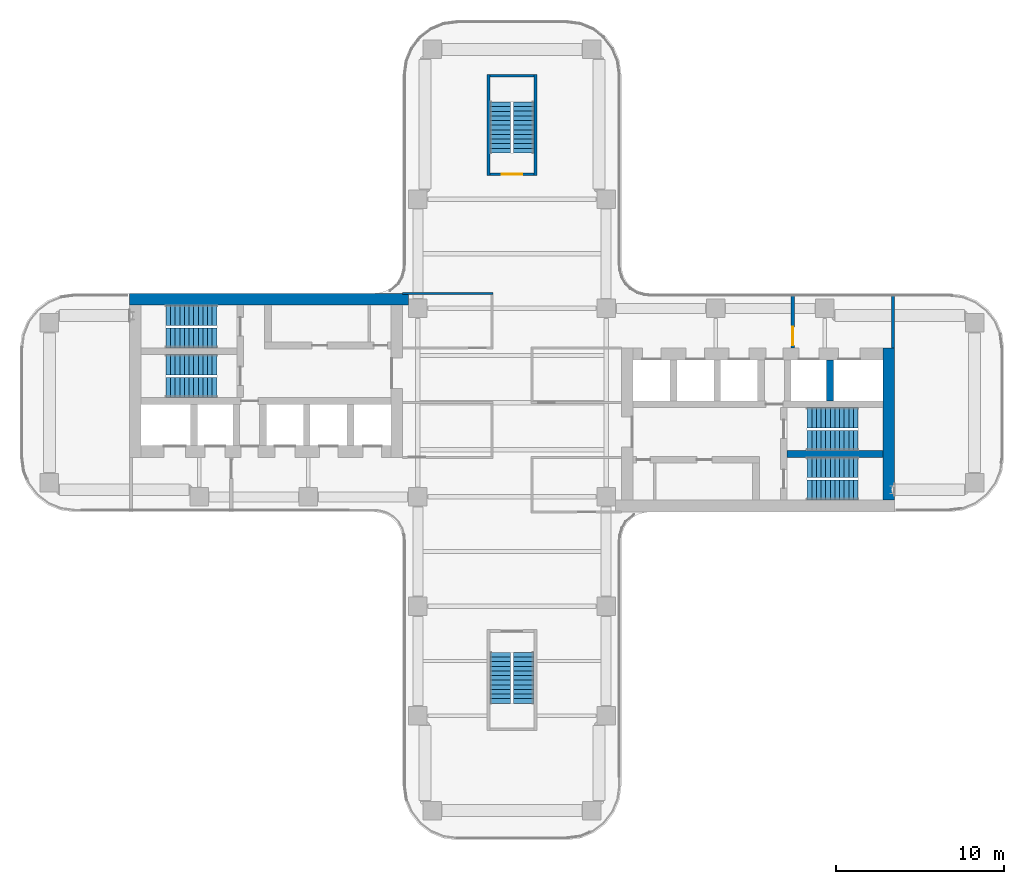
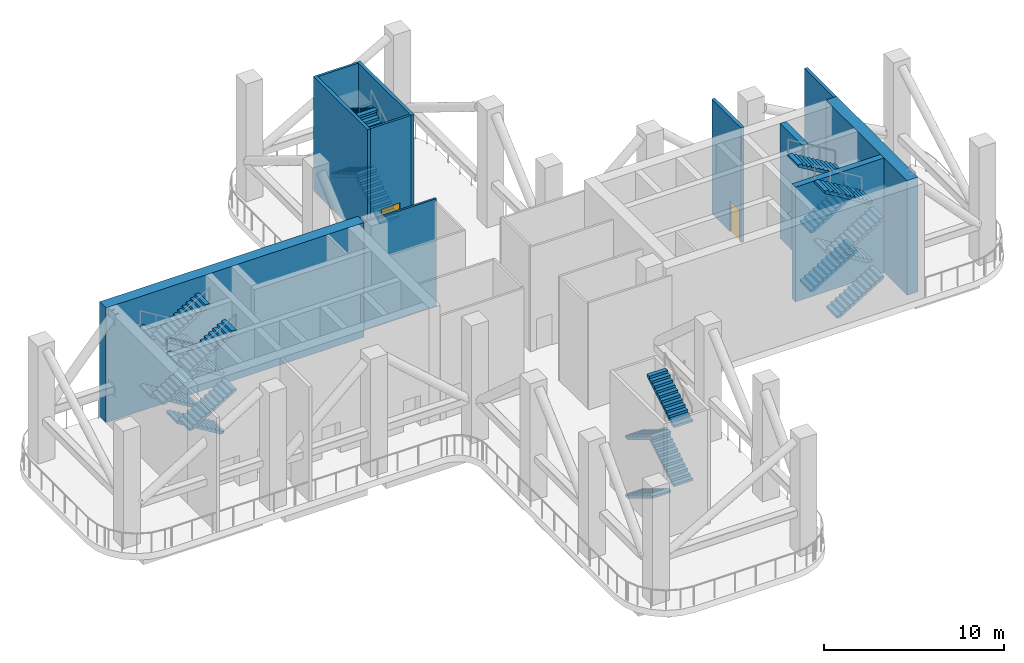
# One storey, part 6 of 11: 24 stair flights, 11 walls, 2 doors, 2 openings, 6 elements without a shape of their own.
"""IFC4 building model written with IfcOpenShell, lengths in metres."""

from ifc_helpers import new_model, si_unit, direction, frame, frame_2d, origin, place, context, subcontext, project, spatial, polyline, rectangle, outline, extrude, source, transform, mapped, material, layer, layer_set, type_object, element, fill, aggregate, save


model = new_model("IFC4")

# Units and contexts
model_context = context("Model", 3, precision=1e-05, world=origin(), true_north=direction((0.0, 1.0)))
body_context = subcontext(model_context, "Body", "Model", "MODEL_VIEW")
ifc_project = project(units=[si_unit("LENGTHUNIT", "METRE"), si_unit("AREAUNIT", "SQUARE_METRE"), si_unit("VOLUMEUNIT", "CUBIC_METRE"), si_unit("PLANEANGLEUNIT", "RADIAN"), si_unit("MASSUNIT", "GRAM", prefix="KILO")], contexts=[model_context])

# Site, building, storey
site_placement = place(None, origin())
site = spatial("IfcSite", under=ifc_project, at=site_placement, CompositionType="ELEMENT")
building_placement = place(site_placement, origin())
building = spatial("IfcBuilding", under=site, at=building_placement, Name="Trellis Farm Tower", CompositionType="ELEMENT")
storey_placement = place(building_placement, frame((0.0, 0.0, 212.699951171875)))
storey = spatial("IfcBuildingStorey", under=building, at=storey_placement, Name="L47", CompositionType="ELEMENT", Elevation=212.699951171875)

# Walls
ifc_material_1 = material(Name="Concrete C60/75", Category="concrete")
ifc_layer_1 = layer(ifc_material_1, 0.699951171875)
ifc_layer_set_1 = layer_set([ifc_layer_1], Name="CORE OUTER WALL 700 CONCRETE C60/75")
wall_type_1 = type_object("IfcWallType", Name="CORE OUTER WALL 700 CONCRETE C60/75", PredefinedType="SHEAR", material=ifc_layer_set_1)
shared_shape_1 = source(origin(), body_context, "Body", "SweptSolid", [
    extrude(rectangle(XDim=9.050048828125, YDim=0.699951171875, at=frame_2d((4.52490234375, 0.0))), origin(), (0.0, 0.0, 1.0), 7.800048828125),
])
wall_1_placement = place(storey_placement, frame((22.39990234375, -5.800048828125, 0.0), z_axis=(0.0, 0.0, 1.0), x_axis=(0.0, 1.0, 0.0)))
element("IfcWall", 1, at=wall_1_placement, inside=storey, type_object=wall_type_1, Name="Core wall", PredefinedType="SHEAR", context=body_context, shape_type="MappedRepresentation", body=[
    mapped(shared_shape_1, transform((0.0, 0.0, 0.0))),
])
ifc_layer_2 = layer(ifc_material_1, 0.39990234375)
ifc_layer_set_2 = layer_set([ifc_layer_2], Name="CORE INNER WALL 400 CONCRETE C60/75")
wall_type_2 = type_object("IfcWallType", Name="CORE INNER WALL 400 CONCRETE C60/75", PredefinedType="SHEAR", material=ifc_layer_set_2)
shared_shape_2 = source(origin(), body_context, "Body", "SweptSolid", [
    extrude(rectangle(XDim=2.449951171875, YDim=0.39990234375, at=frame_2d((1.22509765625, 0.0))), origin(), (0.0, 0.0, 1.0), 7.800048828125),
])
wall_2_placement = place(storey_placement, frame((18.89990234375, 0.10009765625, 0.0), z_axis=(0.0, 0.0, 1.0), x_axis=(0.0, 1.0, 0.0)))
element("IfcWall", 2, at=wall_2_placement, inside=storey, type_object=wall_type_2, Name="Core wall", PredefinedType="SHEAR", context=body_context, shape_type="MappedRepresentation", body=[
    mapped(shared_shape_2, transform((0.0, 0.0, 0.0))),
])

# Wall, opening, door
ifc_material_2 = material(Name="Masonry blockwork", Category="masonry")
ifc_layer_3 = layer(ifc_material_2, 0.199951171875)
ifc_layer_set_3 = layer_set([ifc_layer_3], Name="FIRE LOBBY PARTITION 200 BLOCKWORK")
wall_type_3 = type_object("IfcWallType", Name="FIRE LOBBY PARTITION 200 BLOCKWORK", PredefinedType="PARTITIONING", material=ifc_layer_set_3)
shared_shape_3 = source(origin(), body_context, "Body", "SweptSolid", [
    extrude(rectangle(XDim=3.25, YDim=0.199951171875, at=frame_2d((1.625, 0.0))), origin(), (0.0, 0.0, 1.0), 7.800048828125),
])
wall_3_placement = place(storey_placement, frame((16.699951171875, 3.25, 0.0), z_axis=(0.0, 0.0, 1.0), x_axis=(0.0, 1.0, 0.0)))
wall_3 = element("IfcWall", 3, at=wall_3_placement, inside=storey, type_object=wall_type_3, Name="Fire-fighting lobby partition", PredefinedType="PARTITIONING", context=body_context, shape_type="MappedRepresentation", body=[
    mapped(shared_shape_3, transform((0.0, 0.0, 0.0))),
])
shared_shape_4 = source(origin(), body_context, "Body", "SweptSolid", [
    extrude(rectangle(XDim=1.10009765625, YDim=2.10009765625, at=frame_2d((0.550048828125, 1.050048828125))), frame((0.0, 0.110107421875, 0.0), z_axis=(0.0, -1.0, 0.0), x_axis=(1.0, 0.0, 0.0)), (0.0, 0.0, 1.0), 0.22021484375),
])
opening_1_placement = place(wall_3_placement, frame((0.14990234375, 0.0, 0.0)))
opening_1 = element("IfcOpeningElement", 4, at=opening_1_placement, cuts=wall_3, Name="Opening DC7", PredefinedType="OPENING", context=body_context, shape_type="MappedRepresentation", body=[
    mapped(shared_shape_4, transform((0.0, 0.0, 0.0))),
])
ifc_material_3 = material(Name="Steel", Category="steel")
door_type_1 = type_object("IfcDoorType", Name="CORE FIRE DOOR 1100 X 2100", OperationType="NOTDEFINED", PredefinedType="DOOR", material=ifc_material_3)
shared_shape_5 = source(origin(), body_context, "Body", "SweptSolid", [
    extrude(rectangle(XDim=1.10009765625, YDim=2.10009765625, at=frame_2d((0.550048828125, 1.050048828125))), frame((0.0, 0.02490234375, 0.0), z_axis=(0.0, -1.0, 0.0), x_axis=(1.0, 0.0, 0.0)), (0.0, 0.0, 1.0), 0.050048828125),
])
door_1_placement = place(opening_1_placement, origin())
door_1 = element("IfcDoor", 5, at=door_1_placement, inside=storey, type_object=door_type_1, Name="Core door", OperationType="SINGLE_SWING_RIGHT", OverallHeight=2.10009765625, OverallWidth=1.10009765625, PredefinedType="DOOR", context=body_context, shape_type="MappedRepresentation", body=[
    mapped(shared_shape_5, transform((0.0, 0.0, 0.0))),
])
fill(opening_1, door_1)

# Walls
wall_4_placement = place(storey_placement, frame((22.64990234375, 3.25, 0.0), z_axis=(0.0, 0.0, 1.0), x_axis=(0.0, 1.0, 0.0)))
element("IfcWall", 6, at=wall_4_placement, inside=storey, type_object=wall_type_3, Name="Fire-fighting lobby partition", PredefinedType="PARTITIONING", context=body_context, shape_type="MappedRepresentation", body=[
    mapped(shared_shape_3, transform((0.0, 0.0, 0.0))),
])
shared_shape_6 = source(origin(), body_context, "Body", "SweptSolid", [
    extrude(rectangle(XDim=16.60009765625, YDim=0.699951171875, at=frame_2d((8.300048828125, 0.0))), origin(), (0.0, 0.0, 1.0), 7.800048828125),
])
wall_5_placement = place(storey_placement, frame((-6.14990234375, 6.14990234375, 0.0), z_axis=(0.0, 0.0, 1.0), x_axis=(-1.0, 0.0, 0.0)))
element("IfcWall", 7, at=wall_5_placement, inside=storey, type_object=wall_type_1, Name="Core wall", PredefinedType="SHEAR", context=body_context, shape_type="MappedRepresentation", body=[
    mapped(shared_shape_6, transform((0.0, 0.0, 0.0))),
])
shared_shape_7 = source(origin(), body_context, "Body", "SweptSolid", [
    extrude(rectangle(XDim=5.699951171875, YDim=0.39990234375, at=frame_2d((2.85009765625, 0.0))), origin(), (0.0, 0.0, 1.0), 7.800048828125),
])
wall_6_placement = place(storey_placement, frame((16.35009765625, -3.050048828125, 0.0), z_axis=(0.0, 0.0, 1.0), x_axis=(1.0, 0.0, 0.0)))
element("IfcWall", 8, at=wall_6_placement, inside=storey, type_object=wall_type_2, Name="Core wall", PredefinedType="SHEAR", context=body_context, shape_type="MappedRepresentation", body=[
    mapped(shared_shape_7, transform((0.0, 0.0, 0.0))),
])
ifc_layer_4 = layer(ifc_material_1, 0.199951171875)
ifc_layer_set_4 = layer_set([ifc_layer_4], Name="CORE STAIR ENCLOSURE WALL 200 CONCRETE C60/75")
wall_type_4 = type_object("IfcWallType", Name="CORE STAIR ENCLOSURE WALL 200 CONCRETE C60/75", PredefinedType="SHEAR", material=ifc_layer_set_4)
shared_shape_8 = source(origin(), body_context, "Body", "SweptSolid", [
    extrude(rectangle(XDim=6.0, YDim=0.199951171875, at=frame_2d((3.0, 0.0))), origin(), (0.0, 0.0, 1.0), 7.800048828125),
])
for number, where, z_axis, x_axis, name in (
    (9, (-1.39990234375, 13.5, 0.0), (0.0, 0.0, 1.0), (0.0, 1.0, 0.0), "Stair enclosure wall"),
    (10, (1.39990234375, 13.5, 0.0), (0.0, 0.0, 1.0), (0.0, 1.0, 0.0), "Stair enclosure wall"),
):
    element("IfcWall", number, at=place(storey_placement, frame(where, z_axis=z_axis, x_axis=x_axis)), inside=storey, type_object=wall_type_4, Name=name, PredefinedType="SHEAR", context=body_context, shape_type="MappedRepresentation", body=[
        mapped(shared_shape_8, transform((0.0, 0.0, 0.0))),
    ])

# Wall, opening, door
ifc_layer_5 = layer(ifc_material_1, 0.14990234375)
ifc_layer_set_5 = layer_set([ifc_layer_5], Name="CORE STAIR ENCLOSURE WALL 150 CONCRETE C60/75")
wall_type_5 = type_object("IfcWallType", Name="CORE STAIR ENCLOSURE WALL 150 CONCRETE C60/75", PredefinedType="SHEAR", material=ifc_layer_set_5)
shared_shape_9 = source(origin(), body_context, "Body", "SweptSolid", [
    extrude(rectangle(XDim=2.60009765625, YDim=0.14990234375, at=frame_2d((1.300048828125, 0.0))), origin(), (0.0, 0.0, 1.0), 7.800048828125),
])
wall_7_placement = place(storey_placement, frame((-1.300048828125, 13.574951171875, 0.0), z_axis=(0.0, 0.0, 1.0), x_axis=(1.0, 0.0, 0.0)))
wall_7 = element("IfcWall", 11, at=wall_7_placement, inside=storey, type_object=wall_type_5, Name="Stair enclosure wall", PredefinedType="SHEAR", context=body_context, shape_type="MappedRepresentation", body=[
    mapped(shared_shape_9, transform((0.0, 0.0, 0.0))),
])
shared_shape_10 = source(origin(), body_context, "Body", "SweptSolid", [
    extrude(rectangle(XDim=1.199951171875, YDim=2.10009765625, at=frame_2d((0.60009765625, 1.050048828125))), frame((0.0, 0.0849609375, 0.0), z_axis=(0.0, -1.0, 0.0), x_axis=(1.0, 0.0, 0.0)), (0.0, 0.0, 1.0), 0.169921875),
])
opening_2_placement = place(wall_7_placement, frame((0.699951171875, 0.0, 0.0)))
opening_2 = element("IfcOpeningElement", 12, at=opening_2_placement, cuts=wall_7, Name="Opening DC173", PredefinedType="OPENING", context=body_context, shape_type="MappedRepresentation", body=[
    mapped(shared_shape_10, transform((0.0, 0.0, 0.0))),
])
door_type_2 = type_object("IfcDoorType", Name="CORE FIRE DOOR 1200 X 2100", OperationType="NOTDEFINED", PredefinedType="DOOR", material=ifc_material_3)
shared_shape_11 = source(origin(), body_context, "Body", "SweptSolid", [
    extrude(rectangle(XDim=1.199951171875, YDim=2.10009765625, at=frame_2d((0.60009765625, 1.050048828125))), frame((0.0, 0.02490234375, 0.0), z_axis=(0.0, -1.0, 0.0), x_axis=(1.0, 0.0, 0.0)), (0.0, 0.0, 1.0), 0.050048828125),
])
door_2_placement = place(opening_2_placement, origin())
door_2 = element("IfcDoor", 13, at=door_2_placement, inside=storey, type_object=door_type_2, Name="Core door", OperationType="SINGLE_SWING_LEFT", OverallHeight=2.10009765625, OverallWidth=1.199951171875, PredefinedType="DOOR", context=body_context, shape_type="MappedRepresentation", body=[
    mapped(shared_shape_11, transform((0.0, 0.0, 0.0))),
])
fill(opening_2, door_2)

# Walls
wall_8_placement = place(storey_placement, frame((-1.300048828125, 19.425048828125, 0.0), z_axis=(0.0, 0.0, 1.0), x_axis=(1.0, 0.0, 0.0)))
element("IfcWall", 14, at=wall_8_placement, inside=storey, type_object=wall_type_5, Name="Stair enclosure wall", PredefinedType="SHEAR", context=body_context, shape_type="MappedRepresentation", body=[
    mapped(shared_shape_9, transform((0.0, 0.0, 0.0))),
])
ifc_material_4 = material(Name="Plasterboard on steel studs, mineral wool", Category="steel")
ifc_layer_6 = layer(ifc_material_4, 0.125)
ifc_layer_set_6 = layer_set([ifc_layer_6], Name="PARTITION 125 STUD EI 60")
wall_type_6 = type_object("IfcWallType", Name="PARTITION 125 STUD EI 60", PredefinedType="PARTITIONING", material=ifc_layer_set_6)
shared_shape_12 = source(origin(), body_context, "Body", "SweptSolid", [
    extrude(rectangle(XDim=5.362548828125, YDim=0.125, at=frame_2d((2.68115234375, 0.0))), origin(), (0.0, 0.0, 1.0), 7.280029296875),
])
wall_9_placement = place(storey_placement, frame((-6.5, 6.5, 0.0), z_axis=(0.0, 0.0, 1.0), x_axis=(1.0, 0.0, 0.0)))
element("IfcWall", 15, at=wall_9_placement, inside=storey, type_object=wall_type_6, Name="Partition PW1", PredefinedType="PARTITIONING", context=body_context, shape_type="MappedRepresentation", body=[
    mapped(shared_shape_12, transform((0.0, 0.0, 0.0))),
])

# Stair, stair flights
ifc_material_5 = material(Name="Concrete C50/60", Category="concrete")
stair_type = type_object("IfcStairType", Name="CORE EXIT STAIR 48 RISERS 167 MM", PredefinedType="HALF_TURN_STAIR", material=ifc_material_5)
placement = place(storey_placement, origin())
stair_1 = element("IfcStair", 16, at=placement, inside=storey, type_object=stair_type, Name="Exit stair N", PredefinedType="HALF_TURN_STAIR")
stair_flight_type = type_object("IfcStairFlightType", Name="STAIR FLIGHT 12 RISERS 167 MM", PredefinedType="STRAIGHT", material=ifc_material_5)
shared_shape_13 = source(origin(), body_context, "Body", "SweptSolid", [
    extrude(outline(polyline([(0.0, 0.0), (0.0, 0.166748046875), (0.27490234375, 0.166748046875), (0.27490234375, 0.333251953125), (0.550048828125, 0.333251953125), (0.550048828125, 0.5), (0.824951171875, 0.5), (0.824951171875, 0.666748046875), (1.10009765625, 0.666748046875), (1.10009765625, 0.833251953125), (1.375, 0.833251953125), (1.375, 1.0), (1.64990234375, 1.0), (1.64990234375, 1.166748046875), (1.925048828125, 1.166748046875), (1.925048828125, 1.333251953125), (2.199951171875, 1.333251953125), (2.199951171875, 1.5), (2.47509765625, 1.5), (2.47509765625, 1.666748046875), (2.75, 1.666748046875), (2.75, 1.833251953125), (3.02490234375, 1.833251953125), (3.02490234375, 2.0), (3.02490234375, 1.681396484375), (0.25048828125, 0.0), (0.0, 0.0)])), frame((0.0, 0.60009765625, 0.0), z_axis=(0.0, -1.0, 0.0), x_axis=(1.0, 0.0, 0.0)), (0.0, 0.0, 1.0), 1.199951171875),
])
stair_flight_1_placement = place(storey_placement, frame((0.699951171875, 14.85009765625, 0.0), z_axis=(0.0, 0.0, 1.0), x_axis=(0.0, 1.0, 0.0)))
stair_flight_1 = element("IfcStairFlight", 17, at=stair_flight_1_placement, type_object=stair_flight_type, Name="STN flight 1", NumberOfRisers=12, NumberOfTreads=11, PredefinedType="STRAIGHT", RiserHeight=0.166666667, TreadLength=0.275, context=body_context, shape_type="MappedRepresentation", body=[
    mapped(shared_shape_13, transform((0.0, 0.0, 0.0))),
])
stair_flight_2_placement = place(storey_placement, frame((-0.699951171875, 17.875, 2.0), z_axis=(0.0, 0.0, 1.0), x_axis=(0.0, -1.0, 0.0)))
stair_flight_2 = element("IfcStairFlight", 18, at=stair_flight_2_placement, type_object=stair_flight_type, Name="STN flight 2", NumberOfRisers=12, NumberOfTreads=11, PredefinedType="STRAIGHT", RiserHeight=0.166666667, TreadLength=0.275, context=body_context, shape_type="MappedRepresentation", body=[
    mapped(shared_shape_13, transform((0.0, 0.0, 0.0))),
])
stair_flight_3_placement = place(storey_placement, frame((0.699951171875, 14.85009765625, 4.0), z_axis=(0.0, 0.0, 1.0), x_axis=(0.0, 1.0, 0.0)))
stair_flight_3 = element("IfcStairFlight", 19, at=stair_flight_3_placement, type_object=stair_flight_type, Name="STN flight 3", NumberOfRisers=12, NumberOfTreads=11, PredefinedType="STRAIGHT", RiserHeight=0.166666667, TreadLength=0.275, context=body_context, shape_type="MappedRepresentation", body=[
    mapped(shared_shape_13, transform((0.0, 0.0, 0.0))),
])
stair_flight_4_placement = place(storey_placement, frame((-0.699951171875, 17.875, 6.0), z_axis=(0.0, 0.0, 1.0), x_axis=(0.0, -1.0, 0.0)))
stair_flight_4 = element("IfcStairFlight", 20, at=stair_flight_4_placement, type_object=stair_flight_type, Name="STN flight 4", NumberOfRisers=12, NumberOfTreads=11, PredefinedType="STRAIGHT", RiserHeight=0.166666667, TreadLength=0.275, context=body_context, shape_type="MappedRepresentation", body=[
    mapped(shared_shape_13, transform((0.0, 0.0, 0.0))),
])
aggregate(stair_1, [stair_flight_1, stair_flight_2, stair_flight_3, stair_flight_4])

stair_2 = element("IfcStair", 21, at=placement, inside=storey, type_object=stair_type, Name="Exit stair S", PredefinedType="HALF_TURN_STAIR")
stair_flight_5_placement = place(storey_placement, frame((-0.699951171875, -14.85009765625, 0.0), z_axis=(0.0, 0.0, 1.0), x_axis=(0.0, -1.0, 0.0)))
stair_flight_5 = element("IfcStairFlight", 22, at=stair_flight_5_placement, type_object=stair_flight_type, Name="STS flight 1", NumberOfRisers=12, NumberOfTreads=11, PredefinedType="STRAIGHT", RiserHeight=0.166666667, TreadLength=0.275, context=body_context, shape_type="MappedRepresentation", body=[
    mapped(shared_shape_13, transform((0.0, 0.0, 0.0))),
])
stair_flight_6_placement = place(storey_placement, frame((0.699951171875, -17.875, 2.0), z_axis=(0.0, 0.0, 1.0), x_axis=(0.0, 1.0, 0.0)))
stair_flight_6 = element("IfcStairFlight", 23, at=stair_flight_6_placement, type_object=stair_flight_type, Name="STS flight 2", NumberOfRisers=12, NumberOfTreads=11, PredefinedType="STRAIGHT", RiserHeight=0.166666667, TreadLength=0.275, context=body_context, shape_type="MappedRepresentation", body=[
    mapped(shared_shape_13, transform((0.0, 0.0, 0.0))),
])
stair_flight_7_placement = place(storey_placement, frame((-0.699951171875, -14.85009765625, 4.0), z_axis=(0.0, 0.0, 1.0), x_axis=(0.0, -1.0, 0.0)))
stair_flight_7 = element("IfcStairFlight", 24, at=stair_flight_7_placement, type_object=stair_flight_type, Name="STS flight 3", NumberOfRisers=12, NumberOfTreads=11, PredefinedType="STRAIGHT", RiserHeight=0.166666667, TreadLength=0.275, context=body_context, shape_type="MappedRepresentation", body=[
    mapped(shared_shape_13, transform((0.0, 0.0, 0.0))),
])
stair_flight_8_placement = place(storey_placement, frame((0.699951171875, -17.875, 6.0), z_axis=(0.0, 0.0, 1.0), x_axis=(0.0, 1.0, 0.0)))
stair_flight_8 = element("IfcStairFlight", 25, at=stair_flight_8_placement, type_object=stair_flight_type, Name="STS flight 4", NumberOfRisers=12, NumberOfTreads=11, PredefinedType="STRAIGHT", RiserHeight=0.166666667, TreadLength=0.275, context=body_context, shape_type="MappedRepresentation", body=[
    mapped(shared_shape_13, transform((0.0, 0.0, 0.0))),
])
aggregate(stair_2, [stair_flight_5, stair_flight_6, stair_flight_7, stair_flight_8])

stair_3 = element("IfcStair", 26, at=placement, inside=storey, type_object=stair_type, Name="Exit stair E1", PredefinedType="HALF_TURN_STAIR")
stair_flight_9_placement = place(storey_placement, frame((17.550048828125, -5.199951171875, 0.0), z_axis=(0.0, 0.0, 1.0), x_axis=(1.0, 0.0, 0.0)))
stair_flight_9 = element("IfcStairFlight", 27, at=stair_flight_9_placement, type_object=stair_flight_type, Name="STE1 flight 1", NumberOfRisers=12, NumberOfTreads=11, PredefinedType="STRAIGHT", RiserHeight=0.166666667, TreadLength=0.275, context=body_context, shape_type="MappedRepresentation", body=[
    mapped(shared_shape_13, transform((0.0, 0.0, 0.0))),
])
stair_flight_10_placement = place(storey_placement, frame((20.574951171875, -3.85009765625, 2.0), z_axis=(0.0, 0.0, 1.0), x_axis=(-1.0, 0.0, 0.0)))
stair_flight_10 = element("IfcStairFlight", 28, at=stair_flight_10_placement, type_object=stair_flight_type, Name="STE1 flight 2", NumberOfRisers=12, NumberOfTreads=11, PredefinedType="STRAIGHT", RiserHeight=0.166666667, TreadLength=0.275, context=body_context, shape_type="MappedRepresentation", body=[
    mapped(shared_shape_13, transform((0.0, 0.0, 0.0))),
])
stair_flight_11_placement = place(storey_placement, frame((17.550048828125, -5.199951171875, 4.0), z_axis=(0.0, 0.0, 1.0), x_axis=(1.0, 0.0, 0.0)))
stair_flight_11 = element("IfcStairFlight", 29, at=stair_flight_11_placement, type_object=stair_flight_type, Name="STE1 flight 3", NumberOfRisers=12, NumberOfTreads=11, PredefinedType="STRAIGHT", RiserHeight=0.166666667, TreadLength=0.275, context=body_context, shape_type="MappedRepresentation", body=[
    mapped(shared_shape_13, transform((0.0, 0.0, 0.0))),
])
stair_flight_12_placement = place(storey_placement, frame((20.574951171875, -3.85009765625, 6.0), z_axis=(0.0, 0.0, 1.0), x_axis=(-1.0, 0.0, 0.0)))
stair_flight_12 = element("IfcStairFlight", 30, at=stair_flight_12_placement, type_object=stair_flight_type, Name="STE1 flight 4", NumberOfRisers=12, NumberOfTreads=11, PredefinedType="STRAIGHT", RiserHeight=0.166666667, TreadLength=0.275, context=body_context, shape_type="MappedRepresentation", body=[
    mapped(shared_shape_13, transform((0.0, 0.0, 0.0))),
])
aggregate(stair_3, [stair_flight_9, stair_flight_10, stair_flight_11, stair_flight_12])

stair_4 = element("IfcStair", 31, at=placement, inside=storey, type_object=stair_type, Name="Exit stair E2", PredefinedType="HALF_TURN_STAIR")
stair_flight_13_placement = place(storey_placement, frame((17.550048828125, -2.25, 0.0), z_axis=(0.0, 0.0, 1.0), x_axis=(1.0, 0.0, 0.0)))
stair_flight_13 = element("IfcStairFlight", 32, at=stair_flight_13_placement, type_object=stair_flight_type, Name="STE2 flight 1", NumberOfRisers=12, NumberOfTreads=11, PredefinedType="STRAIGHT", RiserHeight=0.166666667, TreadLength=0.275, context=body_context, shape_type="MappedRepresentation", body=[
    mapped(shared_shape_13, transform((0.0, 0.0, 0.0))),
])
stair_flight_14_placement = place(storey_placement, frame((20.574951171875, -0.89990234375, 2.0), z_axis=(0.0, 0.0, 1.0), x_axis=(-1.0, 0.0, 0.0)))
stair_flight_14 = element("IfcStairFlight", 33, at=stair_flight_14_placement, type_object=stair_flight_type, Name="STE2 flight 2", NumberOfRisers=12, NumberOfTreads=11, PredefinedType="STRAIGHT", RiserHeight=0.166666667, TreadLength=0.275, context=body_context, shape_type="MappedRepresentation", body=[
    mapped(shared_shape_13, transform((0.0, 0.0, 0.0))),
])
stair_flight_15_placement = place(storey_placement, frame((17.550048828125, -2.25, 4.0), z_axis=(0.0, 0.0, 1.0), x_axis=(1.0, 0.0, 0.0)))
stair_flight_15 = element("IfcStairFlight", 34, at=stair_flight_15_placement, type_object=stair_flight_type, Name="STE2 flight 3", NumberOfRisers=12, NumberOfTreads=11, PredefinedType="STRAIGHT", RiserHeight=0.166666667, TreadLength=0.275, context=body_context, shape_type="MappedRepresentation", body=[
    mapped(shared_shape_13, transform((0.0, 0.0, 0.0))),
])
stair_flight_16_placement = place(storey_placement, frame((20.574951171875, -0.89990234375, 6.0), z_axis=(0.0, 0.0, 1.0), x_axis=(-1.0, 0.0, 0.0)))
stair_flight_16 = element("IfcStairFlight", 35, at=stair_flight_16_placement, type_object=stair_flight_type, Name="STE2 flight 4", NumberOfRisers=12, NumberOfTreads=11, PredefinedType="STRAIGHT", RiserHeight=0.166666667, TreadLength=0.275, context=body_context, shape_type="MappedRepresentation", body=[
    mapped(shared_shape_13, transform((0.0, 0.0, 0.0))),
])
aggregate(stair_4, [stair_flight_13, stair_flight_14, stair_flight_15, stair_flight_16])

stair_5 = element("IfcStair", 36, at=placement, inside=storey, type_object=stair_type, Name="Exit stair W1", PredefinedType="HALF_TURN_STAIR")
stair_flight_17_placement = place(storey_placement, frame((-17.550048828125, 5.199951171875, 0.0), z_axis=(0.0, 0.0, 1.0), x_axis=(-1.0, 0.0, 0.0)))
stair_flight_17 = element("IfcStairFlight", 37, at=stair_flight_17_placement, type_object=stair_flight_type, Name="STW1 flight 1", NumberOfRisers=12, NumberOfTreads=11, PredefinedType="STRAIGHT", RiserHeight=0.166666667, TreadLength=0.275, context=body_context, shape_type="MappedRepresentation", body=[
    mapped(shared_shape_13, transform((0.0, 0.0, 0.0))),
])
stair_flight_18_placement = place(storey_placement, frame((-20.574951171875, 3.85009765625, 2.0), z_axis=(0.0, 0.0, 1.0), x_axis=(1.0, 0.0, 0.0)))
stair_flight_18 = element("IfcStairFlight", 38, at=stair_flight_18_placement, type_object=stair_flight_type, Name="STW1 flight 2", NumberOfRisers=12, NumberOfTreads=11, PredefinedType="STRAIGHT", RiserHeight=0.166666667, TreadLength=0.275, context=body_context, shape_type="MappedRepresentation", body=[
    mapped(shared_shape_13, transform((0.0, 0.0, 0.0))),
])
stair_flight_19_placement = place(storey_placement, frame((-17.550048828125, 5.199951171875, 4.0), z_axis=(0.0, 0.0, 1.0), x_axis=(-1.0, 0.0, 0.0)))
stair_flight_19 = element("IfcStairFlight", 39, at=stair_flight_19_placement, type_object=stair_flight_type, Name="STW1 flight 3", NumberOfRisers=12, NumberOfTreads=11, PredefinedType="STRAIGHT", RiserHeight=0.166666667, TreadLength=0.275, context=body_context, shape_type="MappedRepresentation", body=[
    mapped(shared_shape_13, transform((0.0, 0.0, 0.0))),
])
stair_flight_20_placement = place(storey_placement, frame((-20.574951171875, 3.85009765625, 6.0), z_axis=(0.0, 0.0, 1.0), x_axis=(1.0, 0.0, 0.0)))
stair_flight_20 = element("IfcStairFlight", 40, at=stair_flight_20_placement, type_object=stair_flight_type, Name="STW1 flight 4", NumberOfRisers=12, NumberOfTreads=11, PredefinedType="STRAIGHT", RiserHeight=0.166666667, TreadLength=0.275, context=body_context, shape_type="MappedRepresentation", body=[
    mapped(shared_shape_13, transform((0.0, 0.0, 0.0))),
])
aggregate(stair_5, [stair_flight_17, stair_flight_18, stair_flight_19, stair_flight_20])

stair_6 = element("IfcStair", 41, at=placement, inside=storey, type_object=stair_type, Name="Exit stair W2", PredefinedType="HALF_TURN_STAIR")
stair_flight_21_placement = place(storey_placement, frame((-17.550048828125, 2.25, 0.0), z_axis=(0.0, 0.0, 1.0), x_axis=(-1.0, 0.0, 0.0)))
stair_flight_21 = element("IfcStairFlight", 42, at=stair_flight_21_placement, type_object=stair_flight_type, Name="STW2 flight 1", NumberOfRisers=12, NumberOfTreads=11, PredefinedType="STRAIGHT", RiserHeight=0.166666667, TreadLength=0.275, context=body_context, shape_type="MappedRepresentation", body=[
    mapped(shared_shape_13, transform((0.0, 0.0, 0.0))),
])
stair_flight_22_placement = place(storey_placement, frame((-20.574951171875, 0.89990234375, 2.0), z_axis=(0.0, 0.0, 1.0), x_axis=(1.0, 0.0, 0.0)))
stair_flight_22 = element("IfcStairFlight", 43, at=stair_flight_22_placement, type_object=stair_flight_type, Name="STW2 flight 2", NumberOfRisers=12, NumberOfTreads=11, PredefinedType="STRAIGHT", RiserHeight=0.166666667, TreadLength=0.275, context=body_context, shape_type="MappedRepresentation", body=[
    mapped(shared_shape_13, transform((0.0, 0.0, 0.0))),
])
stair_flight_23_placement = place(storey_placement, frame((-17.550048828125, 2.25, 4.0), z_axis=(0.0, 0.0, 1.0), x_axis=(-1.0, 0.0, 0.0)))
stair_flight_23 = element("IfcStairFlight", 44, at=stair_flight_23_placement, type_object=stair_flight_type, Name="STW2 flight 3", NumberOfRisers=12, NumberOfTreads=11, PredefinedType="STRAIGHT", RiserHeight=0.166666667, TreadLength=0.275, context=body_context, shape_type="MappedRepresentation", body=[
    mapped(shared_shape_13, transform((0.0, 0.0, 0.0))),
])
stair_flight_24_placement = place(storey_placement, frame((-20.574951171875, 0.89990234375, 6.0), z_axis=(0.0, 0.0, 1.0), x_axis=(1.0, 0.0, 0.0)))
stair_flight_24 = element("IfcStairFlight", 45, at=stair_flight_24_placement, type_object=stair_flight_type, Name="STW2 flight 4", NumberOfRisers=12, NumberOfTreads=11, PredefinedType="STRAIGHT", RiserHeight=0.166666667, TreadLength=0.275, context=body_context, shape_type="MappedRepresentation", body=[
    mapped(shared_shape_13, transform((0.0, 0.0, 0.0))),
])
aggregate(stair_6, [stair_flight_21, stair_flight_22, stair_flight_23, stair_flight_24])

save(model, "model.ifc")
